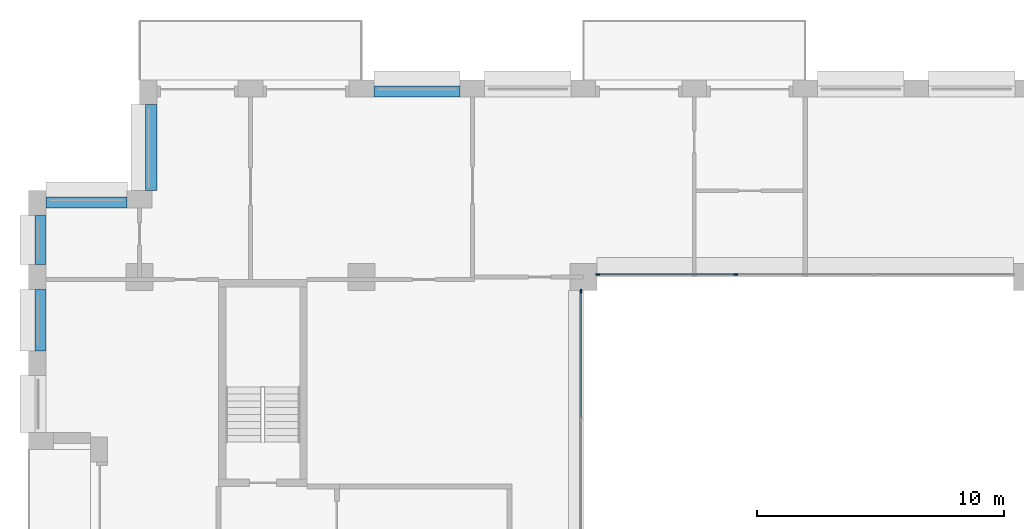
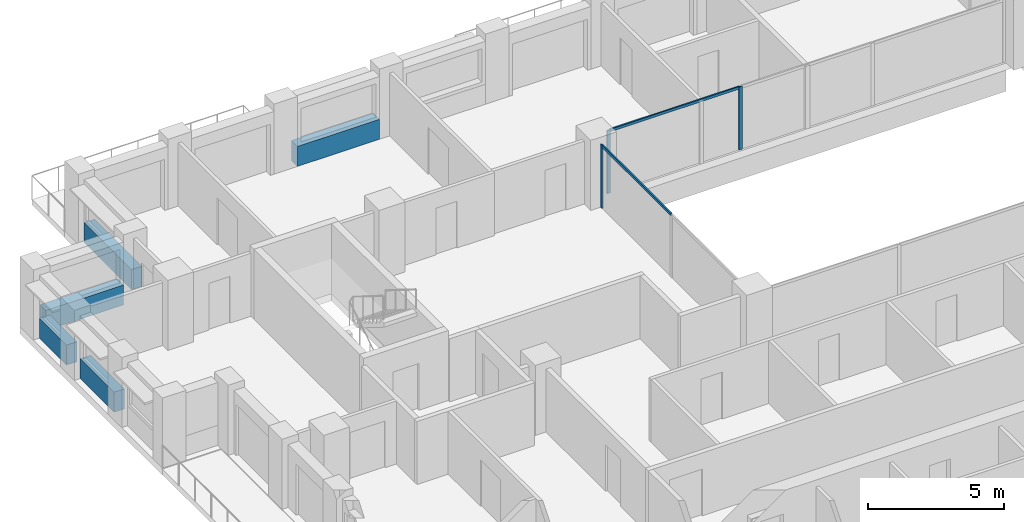
# One storey, part 5 of 16: 5 beams, 5 members, 2 elements without a shape of their own.
"""IFC4 building model written with IfcOpenShell, lengths in metres."""

from ifc_helpers import new_model, si_unit, direction, frame, origin, origin_2d, place, context, subcontext, project, spatial, rectangle, extrude, material, layer, layer_set, material_profile, profile_set, type_object, element, aggregate, save


model = new_model("IFC4")

# Units and contexts
model_context = context("Model", 3, precision=1e-05, world=origin(), true_north=direction((0.0, 1.0)))
body_context = subcontext(model_context, "Body", "Model", "MODEL_VIEW")
ifc_project = project(units=[si_unit("LENGTHUNIT", "METRE"), si_unit("AREAUNIT", "SQUARE_METRE"), si_unit("VOLUMEUNIT", "CUBIC_METRE"), si_unit("PLANEANGLEUNIT", "RADIAN"), si_unit("MASSUNIT", "GRAM", prefix="KILO")], contexts=[model_context])

# Site, building, storey
site_placement = place(None, origin())
site = spatial("IfcSite", under=ifc_project, at=site_placement, CompositionType="ELEMENT")
building_placement = place(site_placement, origin())
building = spatial("IfcBuilding", under=site, at=building_placement, Name="Brigalow Station Residences", CompositionType="ELEMENT")
storey_placement = place(building_placement, frame((0.0, 0.0, 169.64990234375)))
storey = spatial("IfcBuildingStorey", under=building, at=storey_placement, Name="L49", CompositionType="ELEMENT", Elevation=169.64990234375)

# Curtain wall, members
ifc_material_1 = material(Name="Aluminium", Category="aluminium")
ifc_layer = layer(ifc_material_1, 0.14990234375)
ifc_layer_set = layer_set([ifc_layer], Name="ATRIUM FIRE-RATED GLAZING CURTAIN WALL")
curtain_wall_type = type_object("IfcCurtainWallType", Name="ATRIUM FIRE-RATED GLAZING CURTAIN WALL", PredefinedType="NOTDEFINED", material=ifc_layer_set)
curtain_wall_1_placement = place(storey_placement, origin())
curtain_wall_1 = element("IfcCurtainWall", 1, at=curtain_wall_1_placement, inside=storey, type_object=curtain_wall_type, Name="L49/cw/atrium-N", PredefinedType="NOTDEFINED")
ifc_material_2 = material(Name="Aluminium", Category="aluminium")
ifc_material_profile_1 = material_profile(ifc_material_2, rectangle(XDim=0.06005859375, YDim=0.14990234375, at=origin_2d()), Name="ATRIUM FIRE-RATED GLAZING MULLION 60x150")
ifc_profile_set_1 = profile_set([ifc_material_profile_1], Name="Aluminium")
member_type_1 = type_object("IfcMemberType", Name="ATRIUM FIRE-RATED GLAZING MULLION 60x150", PredefinedType="MULLION", material=ifc_profile_set_1)
member_1_placement = place(storey_placement, frame((33.183349609375, 35.60009765625, 0.0), z_axis=(0.0, 0.0, 1.0), x_axis=(0.0, -1.0, 0.0)))
member_1 = element("IfcMember", 2, at=member_1_placement, type_object=member_type_1, Name="L49/cw/atrium-N/M02", PredefinedType="MULLION", context=body_context, shape_type="SweptSolid", body=[
    extrude(rectangle(XDim=0.06005859375, YDim=0.14990234375, at=origin_2d()), origin(), (0.0, 0.0, 1.0), 2.830078125),
])
member_2_placement = place(storey_placement, frame((27.580078125, 35.60009765625, 0.0), z_axis=(0.0, 0.0, 1.0), x_axis=(0.0, -1.0, 0.0)))
member_2 = element("IfcMember", 3, at=member_2_placement, type_object=member_type_1, Name="L49/cw/atrium-N/M03", PredefinedType="MULLION", context=body_context, shape_type="SweptSolid", body=[
    extrude(rectangle(XDim=0.06005859375, YDim=0.14990234375, at=origin_2d()), origin(), (0.0, 0.0, 1.0), 2.830078125),
])

# Curtain wall, member
curtain_wall_2_placement = place(storey_placement, origin())
curtain_wall_2 = element("IfcCurtainWall", 4, at=curtain_wall_2_placement, inside=storey, type_object=curtain_wall_type, Name="L49/cw/atrium-W", PredefinedType="NOTDEFINED")
member_3_placement = place(storey_placement, frame((26.89990234375, 34.919921875, 0.0), z_axis=(0.0, 0.0, 1.0), x_axis=(1.0, 0.0, 0.0)))
member_3 = element("IfcMember", 5, at=member_3_placement, type_object=member_type_1, Name="L49/cw/atrium-W/M00", PredefinedType="MULLION", context=body_context, shape_type="SweptSolid", body=[
    extrude(rectangle(XDim=0.06005859375, YDim=0.14990234375, at=origin_2d()), origin(), (0.0, 0.0, 1.0), 2.830078125),
])

# Member
ifc_material_3 = material(Name="Aluminium", Category="aluminium")
ifc_material_profile_2 = material_profile(ifc_material_3, rectangle(XDim=0.06005859375, YDim=0.1201171875, at=origin_2d()), Name="ATRIUM FIRE-RATED GLAZING TRANSOM 60x120")
ifc_profile_set_2 = profile_set([ifc_material_profile_2], Name="Aluminium")
member_type_2 = type_object("IfcMemberType", Name="ATRIUM FIRE-RATED GLAZING TRANSOM 60x120", PredefinedType="USERDEFINED", material=ifc_profile_set_2)
member_4_placement = place(storey_placement, frame((33.1533203125, 35.60009765625, 2.800048828125), z_axis=(-1.0, 0.0, 0.0), x_axis=(0.0, -1.0, 0.0)))
member_4 = element("IfcMember", 6, at=member_4_placement, type_object=member_type_2, Name="L49/cw/atrium-N/T02-00", ObjectType="TRANSOM", PredefinedType="USERDEFINED", context=body_context, shape_type="SweptSolid", body=[
    extrude(rectangle(XDim=0.06005859375, YDim=0.1201171875, at=origin_2d()), origin(), (0.0, 0.0, 1.0), 5.543212890625),
])

aggregate(curtain_wall_1, [member_1, member_2, member_4])

member_5_placement = place(storey_placement, frame((26.89990234375, 34.889892578125, 2.800048828125), z_axis=(0.0, -1.0, 0.0), x_axis=(1.0, 0.0, 0.0)))
member_5 = element("IfcMember", 7, at=member_5_placement, type_object=member_type_2, Name="L49/cw/atrium-W/T00-00", ObjectType="TRANSOM", PredefinedType="USERDEFINED", context=body_context, shape_type="SweptSolid", body=[
    extrude(rectangle(XDim=0.06005859375, YDim=0.1201171875, at=origin_2d()), origin(), (0.0, 0.0, 1.0), 5.10986328125),
])

aggregate(curtain_wall_2, [member_3, member_5])

# Beams
ifc_material_4 = material(Name="Concrete C50", Category="concrete")
ifc_material_profile_3 = material_profile(ifc_material_4, rectangle(XDim=0.449951171875, YDim=0.89990234375, at=origin_2d()), Name="RC450x900")
ifc_profile_set_3 = profile_set([ifc_material_profile_3], Name="Concrete C50")
beam_type = type_object("IfcBeamType", Name="SPANDREL BEAM 450x900 C50", PredefinedType="SPANDREL", material=ifc_profile_set_3)
for number, where, z_axis, x_axis, name in (
    (8, (22.0, 43.02490234375, 0.4501953125), (-1.0, 0.0, 0.0), (0.0, -1.0, 0.0), "L49/spandrel/W-L49-32"),
    (9, (9.47509765625, 42.5, 0.4501953125), (0.0, -1.0, 0.0), (1.0, 0.0, 0.0), "L49/spandrel/W-L49-35"),
):
    element("IfcBeam", number, at=place(storey_placement, frame(where, z_axis=z_axis, x_axis=x_axis)), inside=storey, type_object=beam_type, Name=name, PredefinedType="SPANDREL", context=body_context, shape_type="SweptSolid", body=[
        extrude(rectangle(XDim=0.449951171875, YDim=0.89990234375, at=origin_2d()), origin(), (0.0, 0.0, 1.0), 3.5),
    ])
beam_1_placement = place(storey_placement, frame((8.5, 38.52490234375, 0.4501953125), z_axis=(-1.0, 0.0, 0.0), x_axis=(0.0, -1.0, 0.0)))
element("IfcBeam", 10, at=beam_1_placement, inside=storey, type_object=beam_type, Name="L49/spandrel/W-L49-36", PredefinedType="SPANDREL", context=body_context, shape_type="SweptSolid", body=[
    extrude(rectangle(XDim=0.449951171875, YDim=0.89990234375, at=origin_2d()), origin(), (0.0, 0.0, 1.0), 3.300048828125),
])
beam_2_placement = place(storey_placement, frame((4.97509765625, 38.0, 0.4501953125), z_axis=(0.0, -1.0, 0.0), x_axis=(1.0, 0.0, 0.0)))
element("IfcBeam", 11, at=beam_2_placement, inside=storey, type_object=beam_type, Name="L49/spandrel/W-L49-37", PredefinedType="SPANDREL", context=body_context, shape_type="SweptSolid", body=[
    extrude(rectangle(XDim=0.449951171875, YDim=0.89990234375, at=origin_2d()), origin(), (0.0, 0.0, 1.0), 2.0),
])
beam_3_placement = place(storey_placement, frame((4.97509765625, 35.0, 0.4501953125), z_axis=(0.0, -1.0, 0.0), x_axis=(1.0, 0.0, 0.0)))
element("IfcBeam", 12, at=beam_3_placement, inside=storey, type_object=beam_type, Name="L49/spandrel/W-L49-38", PredefinedType="SPANDREL", context=body_context, shape_type="SweptSolid", body=[
    extrude(rectangle(XDim=0.449951171875, YDim=0.89990234375, at=origin_2d()), origin(), (0.0, 0.0, 1.0), 2.5),
])

save(model, "model.ifc")
